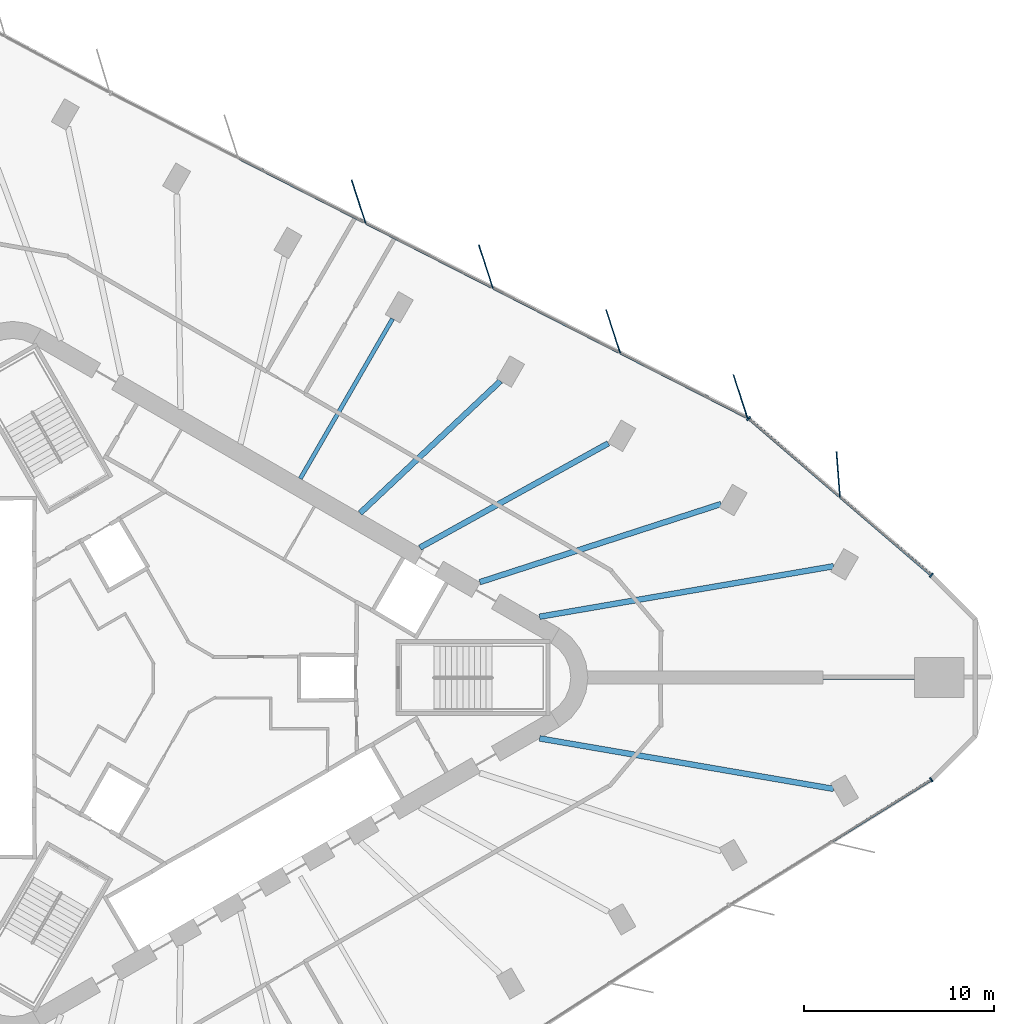
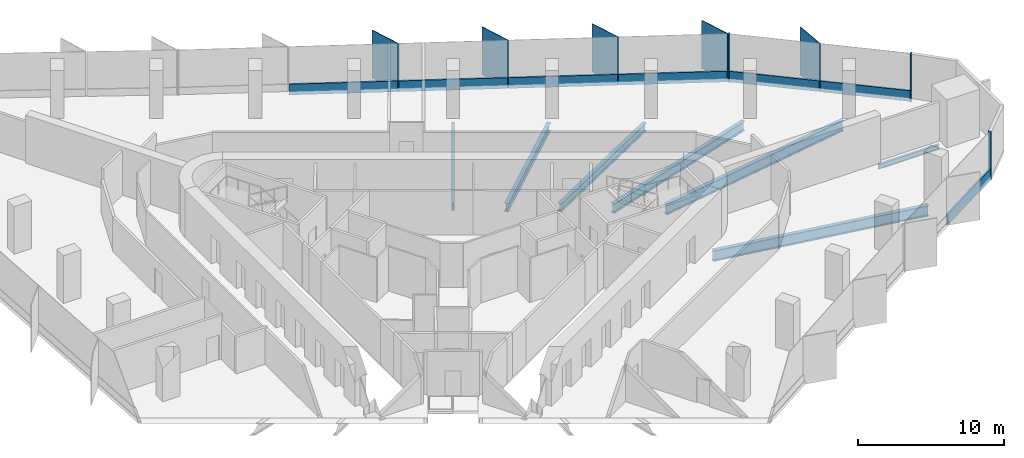
# One storey, part 5 of 13: 15 members, 7 beams, 3 elements without a shape of their own.
"""IFC4 building model written with IfcOpenShell, lengths in metres."""

from ifc_helpers import new_model, si_unit, direction, frame, origin, origin_2d, place, context, subcontext, project, spatial, rectangle, i_section, extrude, material, material_profile, profile_set, type_object, element, aggregate, save


model = new_model("IFC4")

# Units and contexts
model_context = context("Model", 3, precision=1e-05, world=origin(), true_north=direction((0.0, 1.0)))
body_context = subcontext(model_context, "Body", "Model", "MODEL_VIEW")
ifc_project = project(units=[si_unit("LENGTHUNIT", "METRE"), si_unit("AREAUNIT", "SQUARE_METRE"), si_unit("VOLUMEUNIT", "CUBIC_METRE"), si_unit("PLANEANGLEUNIT", "RADIAN"), si_unit("MASSUNIT", "GRAM", prefix="KILO")], contexts=[model_context])

# Site, building, storey
site_placement = place(None, origin())
site = spatial("IfcSite", under=ifc_project, at=site_placement, CompositionType="ELEMENT")
building_placement = place(site_placement, origin())
building = spatial("IfcBuilding", under=site, at=building_placement, Name="Tanit Gate Tower", CompositionType="ELEMENT")
storey_placement = place(building_placement, frame((0.0, 0.0, 173.199951171875)))
storey = spatial("IfcBuildingStorey", under=building, at=storey_placement, Name="L37", CompositionType="ELEMENT", Elevation=173.199951171875)

# Curtain wall, member
ifc_material_1 = material(Name="Aluminium bronze anodised and glass", Category="aluminium")
curtain_wall_type = type_object("IfcCurtainWallType", Name="Curtain wall typical mid", PredefinedType="NOTDEFINED", material=ifc_material_1)
curtain_wall_1_placement = place(storey_placement, origin())
curtain_wall_1 = element("IfcCurtainWall", 1, at=curtain_wall_1_placement, inside=storey, type_object=curtain_wall_type, Name="Curtain wall L37 NE1", PredefinedType="NOTDEFINED")
ifc_material_2 = material(Name="Aluminium bronze anodised", Category="aluminium")
ifc_material_profile_1 = material_profile(ifc_material_2, rectangle(XDim=2.39990234375, YDim=0.055908203125, at=origin_2d()), Name="56x2400 bronze fin mullion")
ifc_profile_set_1 = profile_set([ifc_material_profile_1], Name="Aluminium bronze anodised")
member_type_1 = type_object("IfcMemberType", Name="FIN MULLION 56x2400 bronze", PredefinedType="MULLION", material=ifc_profile_set_1)
member_1_placement = place(storey_placement, frame((34.385009765625, 10.6943359375, -0.300048828125), z_axis=(0.0, 0.0, 1.0), x_axis=(0.076470904404, -0.997071813251, 0.0)))
member_1 = element("IfcMember", 2, at=member_1_placement, type_object=member_type_1, Name="Fin mullion L37 NE1.2", PredefinedType="MULLION", context=body_context, shape_type="SweptSolid", body=[
    extrude(rectangle(XDim=2.39990234375, YDim=0.055908203125, at=origin_2d()), origin(), (0.0, 0.0, 1.0), 4.0),
])

# Curtain wall, members
curtain_wall_2_placement = place(storey_placement, origin())
curtain_wall_2 = element("IfcCurtainWall", 3, at=curtain_wall_2_placement, inside=storey, type_object=curtain_wall_type, Name="Curtain wall L37 NE2", PredefinedType="NOTDEFINED")
member_2_placement = place(storey_placement, frame((29.23388671875, 14.810546875, -0.300048828125), z_axis=(0.0, 0.0, 1.0), x_axis=(0.308568289465, -0.951202192353, 0.0)))
member_2 = element("IfcMember", 4, at=member_2_placement, type_object=member_type_1, Name="Fin mullion L37 NE2.1", PredefinedType="MULLION", context=body_context, shape_type="SweptSolid", body=[
    extrude(rectangle(XDim=2.39990234375, YDim=0.055908203125, at=origin_2d()), origin(), (0.0, 0.0, 1.0), 4.0),
])
member_3_placement = place(storey_placement, frame((22.530029296875, 18.23046875, -0.300048828125), z_axis=(0.0, 0.0, 1.0), x_axis=(0.308568289465, -0.951202192353, 0.0)))
member_3 = element("IfcMember", 5, at=member_3_placement, type_object=member_type_1, Name="Fin mullion L37 NE2.2", PredefinedType="MULLION", context=body_context, shape_type="SweptSolid", body=[
    extrude(rectangle(XDim=2.39990234375, YDim=0.055908203125, at=origin_2d()), origin(), (0.0, 0.0, 1.0), 4.0),
])
member_4_placement = place(storey_placement, frame((15.826171875, 21.650146484375, -0.300048828125), z_axis=(0.0, 0.0, 1.0), x_axis=(0.308568289465, -0.951202192353, 0.0)))
member_4 = element("IfcMember", 6, at=member_4_placement, type_object=member_type_1, Name="Fin mullion L37 NE2.3", PredefinedType="MULLION", context=body_context, shape_type="SweptSolid", body=[
    extrude(rectangle(XDim=2.39990234375, YDim=0.055908203125, at=origin_2d()), origin(), (0.0, 0.0, 1.0), 4.0),
])
member_5_placement = place(storey_placement, frame((9.1220703125, 25.070068359375, -0.300048828125), z_axis=(0.0, 0.0, 1.0), x_axis=(0.308568289465, -0.951202192353, 0.0)))
member_5 = element("IfcMember", 7, at=member_5_placement, type_object=member_type_1, Name="Fin mullion L37 NE2.4", PredefinedType="MULLION", context=body_context, shape_type="SweptSolid", body=[
    extrude(rectangle(XDim=2.39990234375, YDim=0.055908203125, at=origin_2d()), origin(), (0.0, 0.0, 1.0), 4.0),
])

# Member
ifc_material_3 = material(Name="Aluminium bronze anodised", Category="aluminium")
ifc_material_profile_2 = material_profile(ifc_material_3, rectangle(XDim=0.260009765625, YDim=0.080078125, at=origin_2d()), Name="80x260 bronze mullion")
ifc_profile_set_2 = profile_set([ifc_material_profile_2], Name="Aluminium bronze anodised")
member_type_2 = type_object("IfcMemberType", Name="Mullion 80x260 typical mid", PredefinedType="MULLION", material=ifc_profile_set_2)
member_6_placement = place(storey_placement, frame((39.28662109375, 5.39306640625, -0.300048828125), z_axis=(0.0, 0.0, 1.0), x_axis=(-0.650963145412, -0.759109335547, 0.0)))
member_6 = element("IfcMember", 8, at=member_6_placement, type_object=member_type_2, Name="Mullion L37 NE1.1", PredefinedType="MULLION", context=body_context, shape_type="SweptSolid", body=[
    extrude(rectangle(XDim=0.260009765625, YDim=0.080078125, at=origin_2d()), origin(), (0.0, 0.0, 1.0), 4.0),
])

member_7_placement = place(storey_placement, frame((29.66357421875, 13.645263671875, -0.300048828125), z_axis=(0.0, 0.0, 1.0), x_axis=(-0.650963145412, -0.759109335547, 0.0)))
member_7 = element("IfcMember", 9, at=member_7_placement, type_object=member_type_2, Name="Mullion L37 NE1.3", PredefinedType="MULLION", context=body_context, shape_type="SweptSolid", body=[
    extrude(rectangle(XDim=0.260009765625, YDim=0.080078125, at=origin_2d()), origin(), (0.0, 0.0, 1.0), 4.0),
])

# Curtain wall, member
curtain_wall_3_placement = place(storey_placement, origin())
curtain_wall_3 = element("IfcCurtainWall", 10, at=curtain_wall_3_placement, inside=storey, type_object=curtain_wall_type, Name="Curtain wall L37 SE3", PredefinedType="NOTDEFINED")
member_8_placement = place(storey_placement, frame((39.28955078125, -5.381591796875, -0.300048828125), z_axis=(0.0, 0.0, 1.0), x_axis=(-0.527101844908, 0.84980212114, 0.0)))
member_8 = element("IfcMember", 11, at=member_8_placement, type_object=member_type_2, Name="Mullion L37 SE3.3", PredefinedType="MULLION", context=body_context, shape_type="SweptSolid", body=[
    extrude(rectangle(XDim=0.260009765625, YDim=0.080078125, at=origin_2d()), origin(), (0.0, 0.0, 1.0), 4.0),
])

# Beams
ifc_material_4 = material(Name="Steel S355", Category="steel")
ifc_material_profile_3 = material_profile(ifc_material_4, i_section(OverallWidth=0.300048828125, OverallDepth=0.68994140625, WebThickness=0.014404296875, FlangeThickness=0.027099609375, FilletRadius=0.027099609375, at=origin_2d()), Name="HEA 700")
ifc_profile_set_3 = profile_set([ifc_material_profile_3], Name="Steel S355")
beam_type_1 = type_object("IfcBeamType", Name="RADIAL GIRDER HEA 700 S355", PredefinedType="BEAM", material=ifc_profile_set_3)
beam_1_placement = place(storey_placement, frame((22.27490234375, 12.339111328125, -0.64501953125), z_axis=(-0.874754584169, -0.484566215781, 0.0), x_axis=(0.484566215781, -0.874754584169, 0.0)))
element("IfcBeam", 12, at=beam_1_placement, inside=storey, type_object=beam_type_1, Name="RADIAL GIRDER", PredefinedType="BEAM", context=body_context, shape_type="SweptSolid", body=[
    extrude(i_section(OverallWidth=0.300048828125, OverallDepth=0.68994140625, WebThickness=0.014404296875, FlangeThickness=0.027099609375, FilletRadius=0.027099609375, at=origin_2d()), origin(), (0.0, 0.0, 1.0), 11.34326171875),
])
beam_2_placement = place(storey_placement, frame((16.593505859375, 15.619384765625, -0.64501953125), z_axis=(-0.728163982775, -0.685402957529, 0.0), x_axis=(0.685402957529, -0.728163982775, 0.0)))
element("IfcBeam", 13, at=beam_2_placement, inside=storey, type_object=beam_type_1, Name="RADIAL GIRDER", PredefinedType="BEAM", context=body_context, shape_type="SweptSolid", body=[
    extrude(i_section(OverallWidth=0.300048828125, OverallDepth=0.68994140625, WebThickness=0.014404296875, FlangeThickness=0.027099609375, FilletRadius=0.027099609375, at=origin_2d()), origin(), (0.0, 0.0, 1.0), 10.1513671875),
])
ifc_material_5 = material(Name="Steel S355", Category="steel")
ifc_material_profile_4 = material_profile(ifc_material_5, i_section(OverallWidth=0.300048828125, OverallDepth=0.7900390625, WebThickness=0.014892578125, FlangeThickness=0.028076171875, FilletRadius=0.030029296875, at=origin_2d()), Name="HEA 800")
ifc_profile_set_4 = profile_set([ifc_material_profile_4], Name="Steel S355")
beam_type_2 = type_object("IfcBeamType", Name="RADIAL GIRDER HEA 800 S355", PredefinedType="BEAM", material=ifc_profile_set_4)
beam_3_placement = place(storey_placement, frame((28.214111328125, 9.142333984375, -0.695068359375), z_axis=(-0.951302925208, -0.308257594376, 0.0), x_axis=(0.308257594376, -0.951302925208, 0.0)))
element("IfcBeam", 14, at=beam_3_placement, inside=storey, type_object=beam_type_2, Name="RADIAL GIRDER", PredefinedType="BEAM", context=body_context, shape_type="SweptSolid", body=[
    extrude(i_section(OverallWidth=0.300048828125, OverallDepth=0.7900390625, WebThickness=0.014892578125, FlangeThickness=0.028076171875, FilletRadius=0.030029296875, at=origin_2d()), origin(), (0.0, 0.0, 1.0), 13.36181640625),
])
ifc_material_6 = material(Name="Steel S355", Category="steel")
ifc_material_profile_5 = material_profile(ifc_material_6, i_section(OverallWidth=0.300048828125, OverallDepth=0.889892578125, WebThickness=0.01611328125, FlangeThickness=0.030029296875, FilletRadius=0.030029296875, at=origin_2d()), Name="HEA 900")
ifc_profile_set_5 = profile_set([ifc_material_profile_5], Name="Steel S355")
beam_type_3 = type_object("IfcBeamType", Name="RADIAL GIRDER HEA 900 S355", PredefinedType="BEAM", material=ifc_profile_set_5)
for number, where, z_axis, x_axis, name in (
    (15, (34.140380859375, -5.864990234375, -0.744873046875), (-0.98556327475, 0.169307505635, 0.0), (-0.169307505635, -0.98556327475, 0.0), "RADIAL GIRDER"),
    (16, (34.140380859375, 5.864990234375, -0.744873046875), (-0.98556327475, -0.169307505635, 0.0), (0.169307505635, -0.98556327475, 0.0), "RADIAL GIRDER"),
):
    element("IfcBeam", number, at=place(storey_placement, frame(where, z_axis=z_axis, x_axis=x_axis)), inside=storey, type_object=beam_type_3, Name=name, PredefinedType="BEAM", context=body_context, shape_type="SweptSolid", body=[
        extrude(i_section(OverallWidth=0.300048828125, OverallDepth=0.889892578125, WebThickness=0.01611328125, FlangeThickness=0.030029296875, FilletRadius=0.030029296875, at=origin_2d()), origin(), (0.0, 0.0, 1.0), 15.71337890625),
    ])
ifc_material_7 = material(Name="Steel S355", Category="steel")
ifc_material_profile_6 = material_profile(ifc_material_7, i_section(OverallWidth=0.179931640625, OverallDepth=0.39990234375, WebThickness=0.008544921875, FlangeThickness=0.013427734375, FilletRadius=0.02099609375, at=origin_2d()), Name="IPE 400")
ifc_profile_set_6 = profile_set([ifc_material_profile_6], Name="Steel S355")
beam_type_4 = type_object("IfcBeamType", Name="RADIAL GIRDER IPE 400 S355", PredefinedType="BEAM", material=ifc_profile_set_6)
beam_4_placement = place(storey_placement, frame((38.398193359375, 0.0, -0.5), z_axis=(-1.0, 0.0, 0.0), x_axis=(0.0, -1.0, 0.0)))
element("IfcBeam", 17, at=beam_4_placement, inside=storey, type_object=beam_type_4, Name="RADIAL GIRDER", PredefinedType="BEAM", context=body_context, shape_type="SweptSolid", body=[
    extrude(i_section(OverallWidth=0.179931640625, OverallDepth=0.39990234375, WebThickness=0.008544921875, FlangeThickness=0.013427734375, FilletRadius=0.02099609375, at=origin_2d()), origin(), (0.0, 0.0, 1.0), 4.815673828125),
])
ifc_material_8 = material(Name="Steel S355", Category="steel")
ifc_material_profile_7 = material_profile(ifc_material_8, i_section(OverallWidth=0.219970703125, OverallDepth=0.60009765625, WebThickness=0.011962890625, FlangeThickness=0.01904296875, FilletRadius=0.02392578125, at=origin_2d()), Name="IPE 600")
ifc_profile_set_7 = profile_set([ifc_material_profile_7], Name="Steel S355")
beam_type_5 = type_object("IfcBeamType", Name="RADIAL GIRDER IPE 600 S355", PredefinedType="BEAM", material=ifc_profile_set_7)
beam_5_placement = place(storey_placement, frame((10.911865234375, 18.89990234375, -0.599853515625), z_axis=(-0.500001430823, -0.866024577697, 0.0), x_axis=(0.866024577697, -0.500001430823, 0.0)))
element("IfcBeam", 18, at=beam_5_placement, inside=storey, type_object=beam_type_5, Name="RADIAL GIRDER", PredefinedType="BEAM", context=body_context, shape_type="SweptSolid", body=[
    extrude(i_section(OverallWidth=0.219970703125, OverallDepth=0.60009765625, WebThickness=0.011962890625, FlangeThickness=0.01904296875, FilletRadius=0.02392578125, at=origin_2d()), origin(), (0.0, 0.0, 1.0), 9.7216796875),
])

# Member
ifc_material_9 = material(Name="Aluminium bronze anodised", Category="aluminium")
ifc_material_profile_8 = material_profile(ifc_material_9, rectangle(XDim=0.139892578125, YDim=0.89990234375, at=origin_2d()), Name="140x900 bronze transom")
ifc_profile_set_8 = profile_set([ifc_material_profile_8], Name="Aluminium bronze anodised")
member_type_3 = type_object("IfcMemberType", Name="Transom 140x900 typical mid", PredefinedType="USERDEFINED", material=ifc_profile_set_8)
member_9_placement = place(storey_placement, frame((39.256103515625, 5.419189453125, 0.150146484375), z_axis=(-0.759105129314, 0.650968050406, 0.0), x_axis=(-0.650968050406, -0.759105129314, 0.0)))
member_9 = element("IfcMember", 19, at=member_9_placement, type_object=member_type_3, Name="Transom L37 NE1.1", ObjectType="TRANSOM", PredefinedType="USERDEFINED", context=body_context, shape_type="SweptSolid", body=[
    extrude(rectangle(XDim=0.139892578125, YDim=0.89990234375, at=origin_2d()), origin(), (0.0, 0.0, 1.0), 6.25830078125),
])

member_10_placement = place(storey_placement, frame((34.444580078125, 9.545166015625, 0.150146484375), z_axis=(-0.759105129314, 0.650968050406, 0.0), x_axis=(-0.650968050406, -0.759105129314, 0.0)))
member_10 = element("IfcMember", 20, at=member_10_placement, type_object=member_type_3, Name="Transom L37 NE1.2", ObjectType="TRANSOM", PredefinedType="USERDEFINED", context=body_context, shape_type="SweptSolid", body=[
    extrude(rectangle(XDim=0.139892578125, YDim=0.89990234375, at=origin_2d()), origin(), (0.0, 0.0, 1.0), 6.25830078125),
])

aggregate(curtain_wall_1, [member_6, member_1, member_7, member_9, member_10])

member_11_placement = place(storey_placement, frame((29.56201171875, 13.70751953125, 0.150146484375), z_axis=(-0.890791394597, 0.454412468261, 0.0), x_axis=(-0.454412468261, -0.890791394597, 0.0)))
member_11 = element("IfcMember", 21, at=member_11_placement, type_object=member_type_3, Name="Transom L37 NE2.1", ObjectType="TRANSOM", PredefinedType="USERDEFINED", context=body_context, shape_type="SweptSolid", body=[
    extrude(rectangle(XDim=0.139892578125, YDim=0.89990234375, at=origin_2d()), origin(), (0.0, 0.0, 1.0), 7.446044921875),
])

member_12_placement = place(storey_placement, frame((22.85791015625, 17.12744140625, 0.150146484375), z_axis=(-0.890797896574, 0.454399722116, 0.0), x_axis=(-0.454399722116, -0.890797896574, 0.0)))
member_12 = element("IfcMember", 22, at=member_12_placement, type_object=member_type_3, Name="Transom L37 NE2.2", ObjectType="TRANSOM", PredefinedType="USERDEFINED", context=body_context, shape_type="SweptSolid", body=[
    extrude(rectangle(XDim=0.139892578125, YDim=0.89990234375, at=origin_2d()), origin(), (0.0, 0.0, 1.0), 7.445556640625),
])

member_13_placement = place(storey_placement, frame((16.154052734375, 20.547119140625, 0.150146484375), z_axis=(-0.890784623831, 0.45442574085, 0.0), x_axis=(-0.45442574085, -0.890784623831, 0.0)))
member_13 = element("IfcMember", 23, at=member_13_placement, type_object=member_type_3, Name="Transom L37 NE2.3", ObjectType="TRANSOM", PredefinedType="USERDEFINED", context=body_context, shape_type="SweptSolid", body=[
    extrude(rectangle(XDim=0.139892578125, YDim=0.89990234375, at=origin_2d()), origin(), (0.0, 0.0, 1.0), 7.44580078125),
])

member_14_placement = place(storey_placement, frame((9.4501953125, 23.967041015625, 0.150146484375), z_axis=(-0.890797896574, 0.454399722116, 0.0), x_axis=(-0.454399722116, -0.890797896574, 0.0)))
member_14 = element("IfcMember", 24, at=member_14_placement, type_object=member_type_3, Name="Transom L37 NE2.4", ObjectType="TRANSOM", PredefinedType="USERDEFINED", context=body_context, shape_type="SweptSolid", body=[
    extrude(rectangle(XDim=0.139892578125, YDim=0.89990234375, at=origin_2d()), origin(), (0.0, 0.0, 1.0), 7.445556640625),
])

aggregate(curtain_wall_2, [member_2, member_3, member_4, member_5, member_11, member_12, member_13, member_14])

member_15_placement = place(storey_placement, frame((34.024658203125, -8.647216796875, 0.150146484375), z_axis=(0.849787210974, 0.52712588256, 0.0), x_axis=(-0.52712588256, 0.849787210974, 0.0)))
member_15 = element("IfcMember", 25, at=member_15_placement, type_object=member_type_3, Name="Transom L37 SE3.2", ObjectType="TRANSOM", PredefinedType="USERDEFINED", context=body_context, shape_type="SweptSolid", body=[
    extrude(rectangle(XDim=0.139892578125, YDim=0.89990234375, at=origin_2d()), origin(), (0.0, 0.0, 1.0), 6.1552734375),
])

aggregate(curtain_wall_3, [member_8, member_15])

save(model, "model.ifc")
